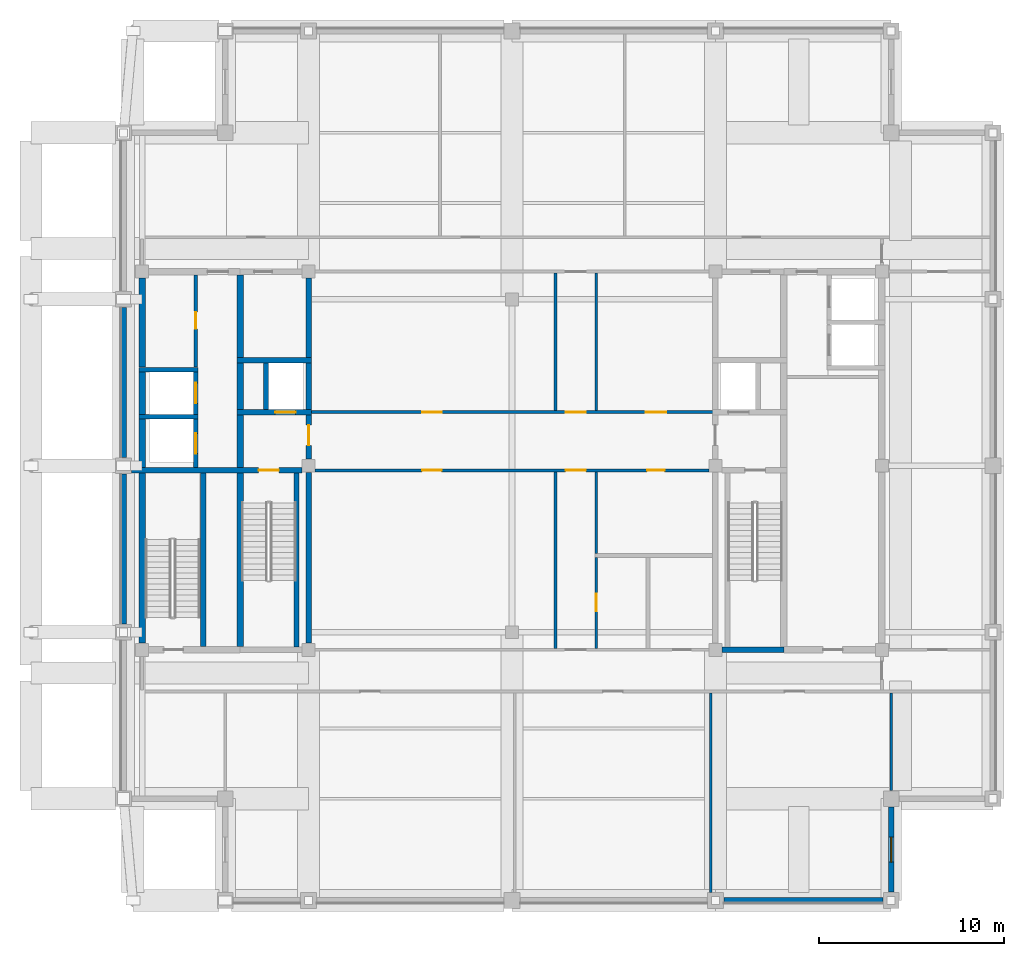
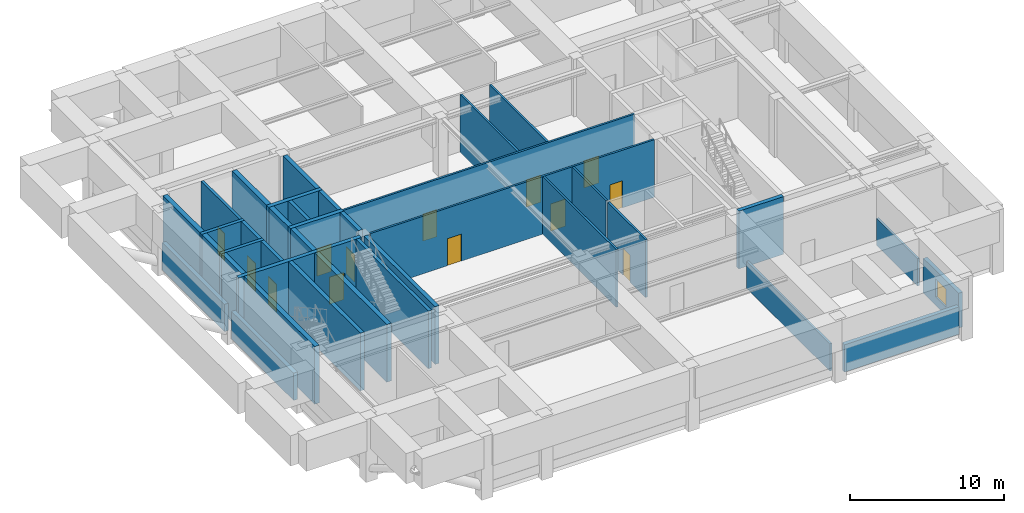
# One storey, part 3 of 11: 37 walls, 13 doors, 1 window, 14 openings.
"""IFC4 building model written with IfcOpenShell, lengths in metres."""

from ifc_helpers import new_model, si_unit, direction, frame, frame_2d, origin, place, context, subcontext, project, spatial, rectangle, extrude, material, layer, layer_set, type_object, element, fill, save


model = new_model("IFC4")

# Units and contexts
model_context = context("Model", 3, precision=1e-05, world=origin(), true_north=direction((0.0, 1.0)))
body_context = subcontext(model_context, "Body", "Model", "MODEL_VIEW")
ifc_project = project(units=[si_unit("LENGTHUNIT", "METRE"), si_unit("AREAUNIT", "SQUARE_METRE"), si_unit("VOLUMEUNIT", "CUBIC_METRE"), si_unit("PLANEANGLEUNIT", "RADIAN"), si_unit("MASSUNIT", "GRAM", prefix="KILO")], contexts=[model_context])

# Site, building, storey
site_placement = place(None, origin())
site = spatial("IfcSite", under=ifc_project, at=site_placement, CompositionType="ELEMENT")
building_placement = place(site_placement, origin())
building = spatial("IfcBuilding", under=site, at=building_placement, Name="Zulmaris Gate Convention Tower", CompositionType="ELEMENT")
storey_placement = place(building_placement, frame((0.0, 0.0, 249.429931640625)))
storey = spatial("IfcBuildingStorey", under=building, at=storey_placement, Name="L66", CompositionType="ELEMENT", Elevation=249.429931640625)

# Walls
ifc_material_1 = material(Name="Concrete C50/60", Category="concrete")
ifc_layer_1 = layer(ifc_material_1, 0.25, Name="Concrete C50/60")
ifc_layer_set_1 = layer_set([ifc_layer_1], Name="Concrete C50/60")
wall_type_1 = type_object("IfcWallType", Name="CORE-250", PredefinedType="SOLIDWALL", material=ifc_layer_set_1)
for number, where, z_axis, x_axis, name in (
    (1, (-20.175048828125, 2.64990234375, 0.0), (0.0, 0.0, 1.0), (1.0, 0.0, 0.0), "WL-L66-007"),
    (2, (-20.175048828125, 5.199951171875, 0.0), (0.0, 0.0, 1.0), (1.0, 0.0, 0.0), "WL-L66-010"),
):
    element("IfcWall", number, at=place(storey_placement, frame(where, z_axis=z_axis, x_axis=x_axis)), inside=storey, type_object=wall_type_1, Name=name, PredefinedType="SOLIDWALL", context=body_context, shape_type="SweptSolid", body=[
        extrude(rectangle(XDim=3.199951171875, YDim=0.25, at=frame_2d((1.60009765625, 0.0))), origin(), (0.0, 0.0, 1.0), 4.574951171875),
    ])

# Wall, opening, door
wall_1_placement = place(storey_placement, frame((-17.10009765625, -0.097900390625, 0.0), z_axis=(0.0, 0.0, 1.0), x_axis=(0.0, 1.0, 0.0)))
wall_1 = element("IfcWall", 3, at=wall_1_placement, inside=storey, type_object=wall_type_1, Name="WL-L66-033", PredefinedType="SOLIDWALL", context=body_context, shape_type="SweptSolid", body=[
    extrude(rectangle(XDim=2.620849609375, YDim=0.25, at=frame_2d((1.310546875, 0.0))), origin(), (0.0, 0.0, 1.0), 4.574951171875),
])
opening_1_placement = place(wall_1_placement, frame((0.748046875, 0.0, 0.0)))
opening_1 = element("IfcOpeningElement", 4, at=opening_1_placement, cuts=wall_1, Name="Opening D-06", PredefinedType="OPENING", context=body_context, shape_type="SweptSolid", body=[
    extrude(rectangle(XDim=1.10009765625, YDim=2.199951171875, at=frame_2d((0.550048828125, 1.10009765625))), frame((0.0, 0.135009765625, 0.0), z_axis=(0.0, -1.0, 0.0), x_axis=(1.0, 0.0, 0.0)), (0.0, 0.0, 1.0), 0.27001953125),
])
ifc_material_2 = material(Name="Brushed Stainless Steel", Category="steel")
door_type_1 = type_object("IfcDoorType", Name="LD-1100", OperationType="NOTDEFINED", PredefinedType="DOOR", material=ifc_material_2)
door_1_placement = place(opening_1_placement, origin())
door_1 = element("IfcDoor", 5, at=door_1_placement, inside=storey, type_object=door_type_1, Name="L66 Lift Landing Door HP-03 10", OperationType="SLIDING_TO_LEFT", OverallHeight=2.199951171875, OverallWidth=1.10009765625, PredefinedType="DOOR", context=body_context, shape_type="SweptSolid", body=[
    extrude(rectangle(XDim=1.10009765625, YDim=2.199951171875, at=frame_2d((0.550048828125, 1.10009765625))), frame((0.0, 0.02490234375, 0.0), z_axis=(0.0, -1.0, 0.0), x_axis=(1.0, 0.0, 0.0)), (0.0, 0.0, 1.0), 0.050048828125),
])
fill(opening_1, door_1)

wall_2_placement = place(storey_placement, frame((-17.10009765625, 2.777099609375, 0.0), z_axis=(0.0, 0.0, 1.0), x_axis=(0.0, 1.0, 0.0)))
wall_2 = element("IfcWall", 6, at=wall_2_placement, inside=storey, type_object=wall_type_1, Name="WL-L66-034", PredefinedType="SOLIDWALL", context=body_context, shape_type="SweptSolid", body=[
    extrude(rectangle(XDim=2.2958984375, YDim=0.25, at=frame_2d((1.14794921875, 0.0))), origin(), (0.0, 0.0, 1.0), 4.574951171875),
])
opening_2_placement = place(wall_2_placement, frame((0.597900390625, 0.0, 0.0)))
opening_2 = element("IfcOpeningElement", 7, at=opening_2_placement, cuts=wall_2, Name="Opening D-06", PredefinedType="OPENING", context=body_context, shape_type="SweptSolid", body=[
    extrude(rectangle(XDim=1.10009765625, YDim=2.199951171875, at=frame_2d((0.550048828125, 1.10009765625))), frame((0.0, 0.135009765625, 0.0), z_axis=(0.0, -1.0, 0.0), x_axis=(1.0, 0.0, 0.0)), (0.0, 0.0, 1.0), 0.27001953125),
])
door_2_placement = place(opening_2_placement, origin())
door_2 = element("IfcDoor", 8, at=door_2_placement, inside=storey, type_object=door_type_1, Name="L66 Lift Landing Door HP-04 11", OperationType="SLIDING_TO_LEFT", OverallHeight=2.199951171875, OverallWidth=1.10009765625, PredefinedType="DOOR", context=body_context, shape_type="SweptSolid", body=[
    extrude(rectangle(XDim=1.10009765625, YDim=2.199951171875, at=frame_2d((0.550048828125, 1.10009765625))), frame((0.0, 0.02490234375, 0.0), z_axis=(0.0, -1.0, 0.0), x_axis=(1.0, 0.0, 0.0)), (0.0, 0.0, 1.0), 0.050048828125),
])
fill(opening_2, door_2)

# Walls
wall_3_placement = place(storey_placement, frame((-13.300048828125, 3.052001953125, 0.0), z_axis=(0.0, 0.0, 1.0), x_axis=(0.0, 1.0, 0.0)))
element("IfcWall", 9, at=wall_3_placement, inside=storey, type_object=wall_type_1, Name="WL-L66-040", PredefinedType="SOLIDWALL", context=body_context, shape_type="SweptSolid", body=[
    extrude(rectangle(XDim=2.49609375, YDim=0.25, at=frame_2d((1.248046875, 0.0))), origin(), (0.0, 0.0, 1.0), 4.574951171875),
])
wall_4_placement = place(storey_placement, frame((-11.64990234375, -9.798095703125, 0.0), z_axis=(0.0, 0.0, 1.0), x_axis=(0.0, 1.0, 0.0)))
element("IfcWall", 10, at=wall_4_placement, inside=storey, type_object=wall_type_1, Name="WL-L66-041", PredefinedType="SOLIDWALL", context=body_context, shape_type="SweptSolid", body=[
    extrude(rectangle(XDim=9.39599609375, YDim=0.25, at=frame_2d((4.697998046875, 0.0))), origin(), (0.0, 0.0, 1.0), 4.574951171875),
])
ifc_layer_2 = layer(ifc_material_1, 0.300048828125, Name="Concrete C50/60")
ifc_layer_set_2 = layer_set([ifc_layer_2], Name="Concrete C50/60")
wall_type_2 = type_object("IfcWallType", Name="CORE-300", PredefinedType="SHEAR", material=ifc_layer_set_2)
wall_5_placement = place(storey_placement, frame((11.35400390625, -9.949951171875, 0.0), z_axis=(0.0, 0.0, 1.0), x_axis=(1.0, 0.0, 0.0)))
element("IfcWall", 11, at=wall_5_placement, inside=storey, type_object=wall_type_2, Name="WL-L66-003", PredefinedType="SHEAR", context=body_context, shape_type="SweptSolid", body=[
    extrude(rectangle(XDim=3.345947265625, YDim=0.300048828125, at=frame_2d((1.6728515625, 0.0))), origin(), (0.0, 0.0, 1.0), 4.574951171875),
])

# Wall, opening, door
wall_6_placement = place(storey_placement, frame((-20.571044921875, -0.25, 0.0), z_axis=(0.0, 0.0, 1.0), x_axis=(1.0, 0.0, 0.0)))
wall_6 = element("IfcWall", 12, at=wall_6_placement, inside=storey, type_object=wall_type_2, Name="WL-L66-005", PredefinedType="SHEAR", context=body_context, shape_type="SweptSolid", body=[
    extrude(rectangle(XDim=9.217041015625, YDim=0.300048828125, at=frame_2d((4.6083984375, 0.0))), origin(), (0.0, 0.0, 1.0), 4.574951171875),
])
opening_3_placement = place(wall_6_placement, frame((6.87109375, 0.0, 0.0)))
opening_3 = element("IfcOpeningElement", 13, at=opening_3_placement, cuts=wall_6, Name="Opening D-08", PredefinedType="OPENING", context=body_context, shape_type="SweptSolid", body=[
    extrude(rectangle(XDim=1.10009765625, YDim=2.14990234375, at=frame_2d((0.550048828125, 1.074951171875))), frame((0.0, 0.16015625, 0.0), z_axis=(0.0, -1.0, 0.0), x_axis=(1.0, 0.0, 0.0)), (0.0, 0.0, 1.0), 0.320068359375),
])
ifc_material_3 = material(Name="Fire-Rated Steel", Category="steel")
door_type_2 = type_object("IfcDoorType", Name="DR-1100-FD", OperationType="NOTDEFINED", PredefinedType="DOOR", material=ifc_material_3)
door_3_placement = place(opening_3_placement, origin())
door_3 = element("IfcDoor", 14, at=door_3_placement, inside=storey, type_object=door_type_2, Name="L66 Exit Stair ST-1 Door 01", OperationType="SINGLE_SWING_LEFT", OverallHeight=2.14990234375, OverallWidth=1.10009765625, PredefinedType="DOOR", context=body_context, shape_type="SweptSolid", body=[
    extrude(rectangle(XDim=1.10009765625, YDim=2.14990234375, at=frame_2d((0.550048828125, 1.074951171875))), frame((0.0, 0.02490234375, 0.0), z_axis=(0.0, -1.0, 0.0), x_axis=(1.0, 0.0, 0.0)), (0.0, 0.0, 1.0), 0.050048828125),
])
fill(opening_3, door_3)

wall_7_placement = place(storey_placement, frame((-14.875, 2.89990234375, 0.0), z_axis=(0.0, 0.0, 1.0), x_axis=(1.0, 0.0, 0.0)))
wall_7 = element("IfcWall", 15, at=wall_7_placement, inside=storey, type_object=wall_type_2, Name="WL-L66-008", PredefinedType="SHEAR", context=body_context, shape_type="SweptSolid", body=[
    extrude(rectangle(XDim=4.02490234375, YDim=0.300048828125, at=frame_2d((2.012451171875, 0.0))), origin(), (0.0, 0.0, 1.0), 4.574951171875),
])
opening_4_placement = place(wall_7_placement, frame((2.074951171875, 0.0, 0.0)))
opening_4 = element("IfcOpeningElement", 16, at=opening_4_placement, cuts=wall_7, Name="Opening D-06", PredefinedType="OPENING", context=body_context, shape_type="SweptSolid", body=[
    extrude(rectangle(XDim=1.10009765625, YDim=2.199951171875, at=frame_2d((0.550048828125, 1.10009765625))), frame((0.0, 0.16015625, 0.0), z_axis=(0.0, -1.0, 0.0), x_axis=(1.0, 0.0, 0.0)), (0.0, 0.0, 1.0), 0.320068359375),
])
door_4_placement = place(opening_4_placement, origin())
door_4 = element("IfcDoor", 17, at=door_4_placement, inside=storey, type_object=door_type_1, Name="L66 Lift Landing Door LF-01 03", OperationType="SLIDING_TO_LEFT", OverallHeight=2.199951171875, OverallWidth=1.10009765625, PredefinedType="DOOR", context=body_context, shape_type="SweptSolid", body=[
    extrude(rectangle(XDim=1.10009765625, YDim=2.199951171875, at=frame_2d((0.550048828125, 1.10009765625))), frame((0.0, 0.02490234375, 0.0), z_axis=(0.0, -1.0, 0.0), x_axis=(1.0, 0.0, 0.0)), (0.0, 0.0, 1.0), 0.050048828125),
])
fill(opening_4, door_4)

# Walls
wall_8_placement = place(storey_placement, frame((-14.875, 5.699951171875, 0.0), z_axis=(0.0, 0.0, 1.0), x_axis=(1.0, 0.0, 0.0)))
element("IfcWall", 18, at=wall_8_placement, inside=storey, type_object=wall_type_2, Name="WL-L66-012", PredefinedType="SHEAR", context=body_context, shape_type="SweptSolid", body=[
    extrude(rectangle(XDim=4.02490234375, YDim=0.300048828125, at=frame_2d((2.012451171875, 0.0))), origin(), (0.0, 0.0, 1.0), 4.574951171875),
])
wall_9_placement = place(storey_placement, frame((-16.699951171875, -9.77294921875, 0.0), z_axis=(0.0, 0.0, 1.0), x_axis=(0.0, 1.0, 0.0)))
element("IfcWall", 19, at=wall_9_placement, inside=storey, type_object=wall_type_2, Name="WL-L66-035", PredefinedType="SHEAR", context=body_context, shape_type="SweptSolid", body=[
    extrude(rectangle(XDim=9.370849609375, YDim=0.300048828125, at=frame_2d((4.685546875, 0.0))), origin(), (0.0, 0.0, 1.0), 4.574951171875),
])
wall_10_placement = place(storey_placement, frame((-11.0, -9.595947265625, 0.0), z_axis=(0.0, 0.0, 1.0), x_axis=(0.0, 1.0, 0.0)))
element("IfcWall", 20, at=wall_10_placement, inside=storey, type_object=wall_type_2, Name="WL-L66-042", PredefinedType="SHEAR", context=body_context, shape_type="SweptSolid", body=[
    extrude(rectangle(XDim=9.241943359375, YDim=0.300048828125, at=frame_2d((4.62109375, 0.0))), origin(), (0.0, 0.0, 1.0), 4.574951171875),
])

# Wall, opening, door
wall_11_placement = place(storey_placement, frame((-11.0, 0.35400390625, 0.0), z_axis=(0.0, 0.0, 1.0), x_axis=(0.0, 1.0, 0.0)))
wall_11 = element("IfcWall", 21, at=wall_11_placement, inside=storey, type_object=wall_type_2, Name="WL-L66-043", PredefinedType="SHEAR", context=body_context, shape_type="SweptSolid", body=[
    extrude(rectangle(XDim=2.39404296875, YDim=0.300048828125, at=frame_2d((1.197021484375, 0.0))), origin(), (0.0, 0.0, 1.0), 4.574951171875),
])
opening_5_placement = place(wall_11_placement, frame((0.74609375, 0.0, 0.0)))
opening_5 = element("IfcOpeningElement", 22, at=opening_5_placement, cuts=wall_11, Name="Opening D-08", PredefinedType="OPENING", context=body_context, shape_type="SweptSolid", body=[
    extrude(rectangle(XDim=1.10009765625, YDim=2.14990234375, at=frame_2d((0.550048828125, 1.074951171875))), frame((0.0, 0.16015625, 0.0), z_axis=(0.0, -1.0, 0.0), x_axis=(1.0, 0.0, 0.0)), (0.0, 0.0, 1.0), 0.320068359375),
])
door_5_placement = place(opening_5_placement, origin())
door_5 = element("IfcDoor", 23, at=door_5_placement, inside=storey, type_object=door_type_2, Name="L66 West Firefighting Lobby Door 02", OperationType="SINGLE_SWING_RIGHT", OverallHeight=2.14990234375, OverallWidth=1.10009765625, PredefinedType="DOOR", context=body_context, shape_type="SweptSolid", body=[
    extrude(rectangle(XDim=1.10009765625, YDim=2.14990234375, at=frame_2d((0.550048828125, 1.074951171875))), frame((0.0, 0.02490234375, 0.0), z_axis=(0.0, -1.0, 0.0), x_axis=(1.0, 0.0, 0.0)), (0.0, 0.0, 1.0), 0.050048828125),
])
fill(opening_5, door_5)

# Walls
wall_12_placement = place(storey_placement, frame((-11.0, 3.052001953125, 0.0), z_axis=(0.0, 0.0, 1.0), x_axis=(0.0, 1.0, 0.0)))
element("IfcWall", 24, at=wall_12_placement, inside=storey, type_object=wall_type_2, Name="WL-L66-044", PredefinedType="SHEAR", context=body_context, shape_type="SweptSolid", body=[
    extrude(rectangle(XDim=2.49609375, YDim=0.300048828125, at=frame_2d((1.248046875, 0.0))), origin(), (0.0, 0.0, 1.0), 4.574951171875),
])
wall_13_placement = place(storey_placement, frame((-11.0, 5.85205078125, 0.0), z_axis=(0.0, 0.0, 1.0), x_axis=(0.0, 1.0, 0.0)))
element("IfcWall", 25, at=wall_13_placement, inside=storey, type_object=wall_type_2, Name="WL-L66-045", PredefinedType="SHEAR", context=body_context, shape_type="SweptSolid", body=[
    extrude(rectangle(XDim=4.2939453125, YDim=0.300048828125, at=frame_2d((2.14697265625, 0.0))), origin(), (0.0, 0.0, 1.0), 4.574951171875),
])
ifc_material_4 = material(Name="Concrete C55/67", Category="concrete")
ifc_layer_3 = layer(ifc_material_4, 0.35009765625, Name="Concrete C55/67")
ifc_layer_set_3 = layer_set([ifc_layer_3], Name="Concrete C55/67")
wall_type_3 = type_object("IfcWallType", Name="CORE-350", PredefinedType="SHEAR", material=ifc_layer_set_3)
wall_14_placement = place(storey_placement, frame((-20.0, -9.595947265625, 0.0), z_axis=(0.0, 0.0, 1.0), x_axis=(0.0, 1.0, 0.0)))
element("IfcWall", 26, at=wall_14_placement, inside=storey, type_object=wall_type_3, Name="WL-L66-029", PredefinedType="SHEAR", context=body_context, shape_type="SweptSolid", body=[
    extrude(rectangle(XDim=9.19384765625, YDim=0.35009765625, at=frame_2d((4.596923828125, 0.0))), origin(), (0.0, 0.0, 1.0), 4.574951171875),
])
wall_15_placement = place(storey_placement, frame((-20.0, -0.097900390625, 0.0), z_axis=(0.0, 0.0, 1.0), x_axis=(0.0, 1.0, 0.0)))
element("IfcWall", 27, at=wall_15_placement, inside=storey, type_object=wall_type_3, Name="WL-L66-030", PredefinedType="SHEAR", context=body_context, shape_type="SweptSolid", body=[
    extrude(rectangle(XDim=2.620849609375, YDim=0.35009765625, at=frame_2d((1.310546875, 0.0))), origin(), (0.0, 0.0, 1.0), 4.574951171875),
])
wall_16_placement = place(storey_placement, frame((-20.0, 2.777099609375, 0.0), z_axis=(0.0, 0.0, 1.0), x_axis=(0.0, 1.0, 0.0)))
element("IfcWall", 28, at=wall_16_placement, inside=storey, type_object=wall_type_3, Name="WL-L66-031", PredefinedType="SHEAR", context=body_context, shape_type="SweptSolid", body=[
    extrude(rectangle(XDim=2.2958984375, YDim=0.35009765625, at=frame_2d((1.14794921875, 0.0))), origin(), (0.0, 0.0, 1.0), 4.574951171875),
])
wall_17_placement = place(storey_placement, frame((-20.0, 5.326904296875, 0.0), z_axis=(0.0, 0.0, 1.0), x_axis=(0.0, 1.0, 0.0)))
element("IfcWall", 29, at=wall_17_placement, inside=storey, type_object=wall_type_3, Name="WL-L66-032", PredefinedType="SHEAR", context=body_context, shape_type="SweptSolid", body=[
    extrude(rectangle(XDim=4.819091796875, YDim=0.35009765625, at=frame_2d((2.40966796875, 0.0))), origin(), (0.0, 0.0, 1.0), 4.574951171875),
])
wall_18_placement = place(storey_placement, frame((-14.699951171875, -9.77294921875, 0.0), z_axis=(0.0, 0.0, 1.0), x_axis=(0.0, 1.0, 0.0)))
element("IfcWall", 30, at=wall_18_placement, inside=storey, type_object=wall_type_3, Name="WL-L66-036", PredefinedType="SHEAR", context=body_context, shape_type="SweptSolid", body=[
    extrude(rectangle(XDim=9.370849609375, YDim=0.35009765625, at=frame_2d((4.685546875, 0.0))), origin(), (0.0, 0.0, 1.0), 4.574951171875),
])
wall_19_placement = place(storey_placement, frame((-14.699951171875, -0.097900390625, 0.0), z_axis=(0.0, 0.0, 1.0), x_axis=(0.0, 1.0, 0.0)))
element("IfcWall", 31, at=wall_19_placement, inside=storey, type_object=wall_type_3, Name="WL-L66-037", PredefinedType="SHEAR", context=body_context, shape_type="SweptSolid", body=[
    extrude(rectangle(XDim=2.845947265625, YDim=0.35009765625, at=frame_2d((1.4228515625, 0.0))), origin(), (0.0, 0.0, 1.0), 4.574951171875),
])
wall_20_placement = place(storey_placement, frame((-14.699951171875, 3.052001953125, 0.0), z_axis=(0.0, 0.0, 1.0), x_axis=(0.0, 1.0, 0.0)))
element("IfcWall", 32, at=wall_20_placement, inside=storey, type_object=wall_type_3, Name="WL-L66-038", PredefinedType="SHEAR", context=body_context, shape_type="SweptSolid", body=[
    extrude(rectangle(XDim=2.49609375, YDim=0.35009765625, at=frame_2d((1.248046875, 0.0))), origin(), (0.0, 0.0, 1.0), 4.574951171875),
])
wall_21_placement = place(storey_placement, frame((-14.699951171875, 5.85205078125, 0.0), z_axis=(0.0, 0.0, 1.0), x_axis=(0.0, 1.0, 0.0)))
element("IfcWall", 33, at=wall_21_placement, inside=storey, type_object=wall_type_3, Name="WL-L66-039", PredefinedType="SHEAR", context=body_context, shape_type="SweptSolid", body=[
    extrude(rectangle(XDim=4.470947265625, YDim=0.35009765625, at=frame_2d((2.2353515625, 0.0))), origin(), (0.0, 0.0, 1.0), 4.574951171875),
])

# Wall, openings, doors
ifc_material_5 = material(Name="Gypsum Metal Stud Partition")
ifc_layer_4 = layer(ifc_material_5, 0.14990234375, Name="Gypsum Metal Stud Partition")
ifc_layer_set_4 = layer_set([ifc_layer_4], Name="Gypsum Metal Stud Partition")
wall_type_4 = type_object("IfcWallType", Name="PART-150", PredefinedType="PARTITIONING", material=ifc_layer_set_4)
wall_22_placement = place(storey_placement, frame((-10.64404296875, -0.25, 0.0), z_axis=(0.0, 0.0, 1.0), x_axis=(1.0, 0.0, 0.0)))
wall_22 = element("IfcWall", 34, at=wall_22_placement, inside=storey, type_object=wall_type_4, Name="WL-L66-023", PredefinedType="PARTITIONING", context=body_context, shape_type="SweptSolid", body=[
    extrude(rectangle(XDim=21.2880859375, YDim=0.14990234375, at=frame_2d((10.64404296875, 0.0))), origin(), (0.0, 0.0, 1.0), 4.574951171875),
])
opening_6_placement = place(wall_22_placement, frame((13.5439453125, 0.0, 0.0)))
opening_6 = element("IfcOpeningElement", 35, at=opening_6_placement, cuts=wall_22, Name="Opening D-08", PredefinedType="OPENING", context=body_context, shape_type="SweptSolid", body=[
    extrude(rectangle(XDim=1.10009765625, YDim=2.14990234375, at=frame_2d((0.550048828125, 1.074951171875))), frame((0.0, 0.0849609375, 0.0), z_axis=(0.0, -1.0, 0.0), x_axis=(1.0, 0.0, 0.0)), (0.0, 0.0, 1.0), 0.169921875),
])
opening_7_placement = place(wall_22_placement, frame((5.7890625, 0.0, 0.0)))
opening_7 = element("IfcOpeningElement", 36, at=opening_7_placement, cuts=wall_22, Name="Opening D-09", PredefinedType="OPENING", context=body_context, shape_type="SweptSolid", body=[
    extrude(rectangle(XDim=1.050048828125, YDim=2.14990234375, at=frame_2d((0.52490234375, 1.074951171875))), frame((0.0, 0.0849609375, 0.0), z_axis=(0.0, -1.0, 0.0), x_axis=(1.0, 0.0, 0.0)), (0.0, 0.0, 1.0), 0.169921875),
])
opening_8_placement = place(wall_22_placement, frame((17.948974609375, 0.0, 0.0)))
opening_8 = element("IfcOpeningElement", 37, at=opening_8_placement, cuts=wall_22, Name="Opening D-11", PredefinedType="OPENING", context=body_context, shape_type="SweptSolid", body=[
    extrude(rectangle(XDim=0.949951171875, YDim=2.14990234375, at=frame_2d((0.47509765625, 1.074951171875))), frame((0.0, 0.0849609375, 0.0), z_axis=(0.0, -1.0, 0.0), x_axis=(1.0, 0.0, 0.0)), (0.0, 0.0, 1.0), 0.169921875),
])
door_type_3 = type_object("IfcDoorType", Name="DR-1050-FD", OperationType="NOTDEFINED", PredefinedType="DOOR", material=ifc_material_3)
door_6_placement = place(opening_7_placement, origin())
door_6 = element("IfcDoor", 38, at=door_6_placement, inside=storey, type_object=door_type_3, Name="L66 Sky Library Door 30", OperationType="SINGLE_SWING_RIGHT", OverallHeight=2.14990234375, OverallWidth=1.050048828125, PredefinedType="DOOR", context=body_context, shape_type="SweptSolid", body=[
    extrude(rectangle(XDim=1.050048828125, YDim=2.14990234375, at=frame_2d((0.52490234375, 1.074951171875))), frame((0.0, 0.02490234375, 0.0), z_axis=(0.0, -1.0, 0.0), x_axis=(1.0, 0.0, 0.0)), (0.0, 0.0, 1.0), 0.050048828125),
])
fill(opening_7, door_6)
door_7_placement = place(opening_6_placement, origin())
door_7 = element("IfcDoor", 39, at=door_7_placement, inside=storey, type_object=door_type_2, Name="L66 Exec Cross South Door 21", OperationType="SINGLE_SWING_LEFT", OverallHeight=2.14990234375, OverallWidth=1.10009765625, PredefinedType="DOOR", context=body_context, shape_type="SweptSolid", body=[
    extrude(rectangle(XDim=1.10009765625, YDim=2.14990234375, at=frame_2d((0.550048828125, 1.074951171875))), frame((0.0, 0.02490234375, 0.0), z_axis=(0.0, -1.0, 0.0), x_axis=(1.0, 0.0, 0.0)), (0.0, 0.0, 1.0), 0.050048828125),
])
fill(opening_6, door_7)
ifc_material_6 = material(Name="Fire-Rated Timber", Category="wood")
door_type_4 = type_object("IfcDoorType", Name="DR-950-FD", OperationType="NOTDEFINED", PredefinedType="DOOR", material=ifc_material_6)
door_8_placement = place(opening_8_placement, origin())
door_8 = element("IfcDoor", 40, at=door_8_placement, inside=storey, type_object=door_type_4, Name="L66 Public WC Door 31", OperationType="SINGLE_SWING_LEFT", OverallHeight=2.14990234375, OverallWidth=0.949951171875, PredefinedType="DOOR", context=body_context, shape_type="SweptSolid", body=[
    extrude(rectangle(XDim=0.949951171875, YDim=2.14990234375, at=frame_2d((0.47509765625, 1.074951171875))), frame((0.0, 0.02490234375, 0.0), z_axis=(0.0, -1.0, 0.0), x_axis=(1.0, 0.0, 0.0)), (0.0, 0.0, 1.0), 0.050048828125),
])
fill(opening_8, door_8)

wall_23_placement = place(storey_placement, frame((-11.0, 2.89990234375, 0.0), z_axis=(0.0, 0.0, 1.0), x_axis=(1.0, 0.0, 0.0)))
wall_23 = element("IfcWall", 41, at=wall_23_placement, inside=storey, type_object=wall_type_4, Name="WL-L66-024", PredefinedType="PARTITIONING", context=body_context, shape_type="SweptSolid", body=[
    extrude(rectangle(XDim=22.0, YDim=0.14990234375, at=frame_2d((11.0, 0.0))), origin(), (0.0, 0.0, 1.0), 4.574951171875),
])
opening_9_placement = place(wall_23_placement, frame((13.89990234375, 0.0, 0.0)))
opening_9 = element("IfcOpeningElement", 42, at=opening_9_placement, cuts=wall_23, Name="Opening D-08", PredefinedType="OPENING", context=body_context, shape_type="SweptSolid", body=[
    extrude(rectangle(XDim=1.10009765625, YDim=2.14990234375, at=frame_2d((0.550048828125, 1.074951171875))), frame((0.0, 0.0849609375, 0.0), z_axis=(0.0, -1.0, 0.0), x_axis=(1.0, 0.0, 0.0)), (0.0, 0.0, 1.0), 0.169921875),
])
opening_10_placement = place(wall_23_placement, frame((6.14501953125, 0.0, 0.0)))
opening_10 = element("IfcOpeningElement", 43, at=opening_10_placement, cuts=wall_23, Name="Opening D-09", PredefinedType="OPENING", context=body_context, shape_type="SweptSolid", body=[
    extrude(rectangle(XDim=1.050048828125, YDim=2.14990234375, at=frame_2d((0.52490234375, 1.074951171875))), frame((0.0, 0.0849609375, 0.0), z_axis=(0.0, -1.0, 0.0), x_axis=(1.0, 0.0, 0.0)), (0.0, 0.0, 1.0), 0.169921875),
])
opening_11_placement = place(wall_23_placement, frame((18.22998046875, 0.0, 0.0)))
opening_11 = element("IfcOpeningElement", 44, at=opening_11_placement, cuts=wall_23, Name="Opening D-08", PredefinedType="OPENING", context=body_context, shape_type="SweptSolid", body=[
    extrude(rectangle(XDim=1.10009765625, YDim=2.14990234375, at=frame_2d((0.550048828125, 1.074951171875))), frame((0.0, 0.0849609375, 0.0), z_axis=(0.0, -1.0, 0.0), x_axis=(1.0, 0.0, 0.0)), (0.0, 0.0, 1.0), 0.169921875),
])
door_9_placement = place(opening_10_placement, origin())
door_9 = element("IfcDoor", 45, at=door_9_placement, inside=storey, type_object=door_type_3, Name="L66 Reception Door 28", OperationType="SINGLE_SWING_RIGHT", OverallHeight=2.14990234375, OverallWidth=1.050048828125, PredefinedType="DOOR", context=body_context, shape_type="SweptSolid", body=[
    extrude(rectangle(XDim=1.050048828125, YDim=2.14990234375, at=frame_2d((0.52490234375, 1.074951171875))), frame((0.0, 0.02490234375, 0.0), z_axis=(0.0, -1.0, 0.0), x_axis=(1.0, 0.0, 0.0)), (0.0, 0.0, 1.0), 0.050048828125),
])
fill(opening_10, door_9)
door_10_placement = place(opening_9_placement, origin())
door_10 = element("IfcDoor", 46, at=door_10_placement, inside=storey, type_object=door_type_2, Name="L66 Exec Cross North Door 20", OperationType="SINGLE_SWING_RIGHT", OverallHeight=2.14990234375, OverallWidth=1.10009765625, PredefinedType="DOOR", context=body_context, shape_type="SweptSolid", body=[
    extrude(rectangle(XDim=1.10009765625, YDim=2.14990234375, at=frame_2d((0.550048828125, 1.074951171875))), frame((0.0, 0.02490234375, 0.0), z_axis=(0.0, -1.0, 0.0), x_axis=(1.0, 0.0, 0.0)), (0.0, 0.0, 1.0), 0.050048828125),
])
fill(opening_9, door_10)
door_11_placement = place(opening_11_placement, origin())
door_11 = element("IfcDoor", 47, at=door_11_placement, inside=storey, type_object=door_type_2, Name="L66 Townhall Forum Door 29", OperationType="SINGLE_SWING_LEFT", OverallHeight=2.14990234375, OverallWidth=1.10009765625, PredefinedType="DOOR", context=body_context, shape_type="SweptSolid", body=[
    extrude(rectangle(XDim=1.10009765625, YDim=2.14990234375, at=frame_2d((0.550048828125, 1.074951171875))), frame((0.0, 0.02490234375, 0.0), z_axis=(0.0, -1.0, 0.0), x_axis=(1.0, 0.0, 0.0)), (0.0, 0.0, 1.0), 0.050048828125),
])
fill(opening_11, door_11)

# Walls
wall_24_placement = place(storey_placement, frame((2.35009765625, -9.8720703125, 0.0), z_axis=(0.0, 0.0, 1.0), x_axis=(0.0, 1.0, 0.0)))
element("IfcWall", 48, at=wall_24_placement, inside=storey, type_object=wall_type_4, Name="WL-L66-067", PredefinedType="PARTITIONING", context=body_context, shape_type="SweptSolid", body=[
    extrude(rectangle(XDim=9.544189453125, YDim=0.14990234375, at=frame_2d((4.77197265625, 0.0))), origin(), (0.0, 0.0, 1.0), 4.574951171875),
])
wall_25_placement = place(storey_placement, frame((2.35009765625, 2.97802734375, 0.0), z_axis=(0.0, 0.0, 1.0), x_axis=(0.0, 1.0, 0.0)))
element("IfcWall", 49, at=wall_25_placement, inside=storey, type_object=wall_type_4, Name="WL-L66-068", PredefinedType="PARTITIONING", context=body_context, shape_type="SweptSolid", body=[
    extrude(rectangle(XDim=7.444091796875, YDim=0.14990234375, at=frame_2d((3.72216796875, 0.0))), origin(), (0.0, 0.0, 1.0), 4.574951171875),
])

# Wall, opening, door
wall_26_placement = place(storey_placement, frame((4.550048828125, -9.8720703125, 0.0), z_axis=(0.0, 0.0, 1.0), x_axis=(0.0, 1.0, 0.0)))
wall_26 = element("IfcWall", 50, at=wall_26_placement, inside=storey, type_object=wall_type_4, Name="WL-L66-069", PredefinedType="PARTITIONING", context=body_context, shape_type="SweptSolid", body=[
    extrude(rectangle(XDim=4.919189453125, YDim=0.14990234375, at=frame_2d((2.45947265625, 0.0))), origin(), (0.0, 0.0, 1.0), 4.574951171875),
])
opening_12_placement = place(wall_26_placement, frame((1.9970703125, 0.0, 0.0)))
opening_12 = element("IfcOpeningElement", 51, at=opening_12_placement, cuts=wall_26, Name="Opening D-11", PredefinedType="OPENING", context=body_context, shape_type="SweptSolid", body=[
    extrude(rectangle(XDim=0.949951171875, YDim=2.14990234375, at=frame_2d((0.47509765625, 1.074951171875))), frame((0.0, 0.0849609375, 0.0), z_axis=(0.0, -1.0, 0.0), x_axis=(1.0, 0.0, 0.0)), (0.0, 0.0, 1.0), 0.169921875),
])
door_12_placement = place(opening_12_placement, origin())
door_12 = element("IfcDoor", 52, at=door_12_placement, inside=storey, type_object=door_type_4, Name="L66 Accessible WC Door 32", OperationType="SINGLE_SWING_RIGHT", OverallHeight=2.14990234375, OverallWidth=0.949951171875, PredefinedType="DOOR", context=body_context, shape_type="SweptSolid", body=[
    extrude(rectangle(XDim=0.949951171875, YDim=2.14990234375, at=frame_2d((0.47509765625, 1.074951171875))), frame((0.0, 0.02490234375, 0.0), z_axis=(0.0, -1.0, 0.0), x_axis=(1.0, 0.0, 0.0)), (0.0, 0.0, 1.0), 0.050048828125),
])
fill(opening_12, door_12)

# Walls
wall_27_placement = place(storey_placement, frame((4.550048828125, -4.7470703125, 0.0), z_axis=(0.0, 0.0, 1.0), x_axis=(0.0, 1.0, 0.0)))
element("IfcWall", 53, at=wall_27_placement, inside=storey, type_object=wall_type_4, Name="WL-L66-070", PredefinedType="PARTITIONING", context=body_context, shape_type="SweptSolid", body=[
    extrude(rectangle(XDim=4.419189453125, YDim=0.14990234375, at=frame_2d((2.20947265625, 0.0))), origin(), (0.0, 0.0, 1.0), 4.574951171875),
])
wall_28_placement = place(storey_placement, frame((4.550048828125, 2.97802734375, 0.0), z_axis=(0.0, 0.0, 1.0), x_axis=(0.0, 1.0, 0.0)))
element("IfcWall", 54, at=wall_28_placement, inside=storey, type_object=wall_type_4, Name="WL-L66-071", PredefinedType="PARTITIONING", context=body_context, shape_type="SweptSolid", body=[
    extrude(rectangle(XDim=7.444091796875, YDim=0.14990234375, at=frame_2d((3.72216796875, 0.0))), origin(), (0.0, 0.0, 1.0), 4.574951171875),
])
wall_29_placement = place(storey_placement, frame((10.75, -23.069091796875, 0.0), z_axis=(0.0, 0.0, 1.0), x_axis=(0.0, 1.0, 0.0)))
element("IfcWall", 55, at=wall_29_placement, inside=storey, type_object=wall_type_4, Name="WL-L66-074", PredefinedType="PARTITIONING", context=body_context, shape_type="SweptSolid", body=[
    extrude(rectangle(XDim=10.791015625, YDim=0.14990234375, at=frame_2d((5.3955078125, 0.0))), origin(), (0.0, 0.0, 1.0), 2.1669921875),
])
wall_30_placement = place(storey_placement, frame((20.5, -17.569091796875, 0.0), z_axis=(0.0, 0.0, 1.0), x_axis=(0.0, 1.0, 0.0)))
element("IfcWall", 56, at=wall_30_placement, inside=storey, type_object=wall_type_4, Name="WL-L66-077", PredefinedType="PARTITIONING", context=body_context, shape_type="SweptSolid", body=[
    extrude(rectangle(XDim=5.291015625, YDim=0.14990234375, at=frame_2d((2.6455078125, 0.0))), origin(), (0.0, 0.0, 1.0), 2.1669921875),
])

# Wall, opening, door
ifc_material_7 = material(Name="Autoclaved Aerated Concrete Block and Plasterboard", Category="concrete")
ifc_layer_5 = layer(ifc_material_7, 0.199951171875, Name="Autoclaved Aerated Concrete Block and Plasterboard")
ifc_layer_set_5 = layer_set([ifc_layer_5], Name="Autoclaved Aerated Concrete Block and Plasterboard")
wall_type_5 = type_object("IfcWallType", Name="PART-200", PredefinedType="PARTITIONING", material=ifc_layer_set_5)
wall_31_placement = place(storey_placement, frame((-17.10009765625, 5.327880859375, 0.0), z_axis=(0.0, 0.0, 1.0), x_axis=(0.0, 1.0, 0.0)))
wall_31 = element("IfcWall", 57, at=wall_31_placement, inside=storey, type_object=wall_type_5, Name="WL-L66-063", PredefinedType="PARTITIONING", context=body_context, shape_type="SweptSolid", body=[
    extrude(rectangle(XDim=4.994140625, YDim=0.199951171875, at=frame_2d((2.4970703125, 0.0))), origin(), (0.0, 0.0, 1.0), 4.574951171875),
])
opening_13_placement = place(wall_31_placement, frame((2.072021484375, 0.0, 0.0)))
opening_13 = element("IfcOpeningElement", 58, at=opening_13_placement, cuts=wall_31, Name="Opening D-12", PredefinedType="OPENING", context=body_context, shape_type="SweptSolid", body=[
    extrude(rectangle(XDim=0.89990234375, YDim=2.14990234375, at=frame_2d((0.449951171875, 1.074951171875))), frame((0.0, 0.10986328125, 0.0), z_axis=(0.0, -1.0, 0.0), x_axis=(1.0, 0.0, 0.0)), (0.0, 0.0, 1.0), 0.219970703125),
])
door_type_5 = type_object("IfcDoorType", Name="DR-900-FD", OperationType="NOTDEFINED", PredefinedType="DOOR", material=ifc_material_6)
door_13_placement = place(opening_13_placement, origin())
door_13 = element("IfcDoor", 59, at=door_13_placement, inside=storey, type_object=door_type_5, Name="L66 Housekeeping Door 13", OperationType="SINGLE_SWING_LEFT", OverallHeight=2.14990234375, OverallWidth=0.89990234375, PredefinedType="DOOR", context=body_context, shape_type="SweptSolid", body=[
    extrude(rectangle(XDim=0.89990234375, YDim=2.14990234375, at=frame_2d((0.449951171875, 1.074951171875))), frame((0.0, 0.02490234375, 0.0), z_axis=(0.0, -1.0, 0.0), x_axis=(1.0, 0.0, 0.0)), (0.0, 0.0, 1.0), 0.050048828125),
])
fill(opening_13, door_13)

# Wall, opening, window
ifc_material_8 = material(Name="Precast concrete C40/50", Category="concrete")
ifc_layer_6 = layer(ifc_material_8, 0.300048828125, Name="Precast concrete C40/50")
ifc_layer_set_6 = layer_set([ifc_layer_6], Name="Precast concrete C40/50")
wall_type_6 = type_object("IfcWallType", Name="PRECAST-PIER-300", PredefinedType="STANDARD", material=ifc_layer_set_6)
wall_32_placement = place(storey_placement, frame((20.5, -23.044921875, 0.0), z_axis=(0.0, 0.0, 1.0), x_axis=(0.0, 1.0, 0.0)))
wall_32 = element("IfcWall", 60, at=wall_32_placement, inside=storey, type_object=wall_type_6, Name="EW-L66-NOTCH-SE1_0", PredefinedType="STANDARD", context=body_context, shape_type="SweptSolid", body=[
    extrude(rectangle(XDim=4.58984375, YDim=0.300048828125, at=frame_2d((2.294921875, 0.0))), origin(), (0.0, 0.0, 1.0), 2.76708984375),
])
opening_14_placement = place(wall_32_placement, frame((1.6201171875, 0.0, 0.679931640625)))
opening_14 = element("IfcOpeningElement", 61, at=opening_14_placement, cuts=wall_32, Name="Opening W-10", PredefinedType="OPENING", context=body_context, shape_type="SweptSolid", body=[
    extrude(rectangle(XDim=1.35009765625, YDim=1.419921875, at=frame_2d((0.675048828125, 0.7099609375))), frame((0.0, 0.16015625, 0.0), z_axis=(0.0, -1.0, 0.0), x_axis=(1.0, 0.0, 0.0)), (0.0, 0.0, 1.0), 0.320068359375),
])
ifc_material_9 = material(Name="Low-E Laminated Double Glazing in Aluminium Frame", Category="aluminium")
window_type = type_object("IfcWindowType", Name="WIN-1350x2000", PartitioningType="SINGLE_PANEL", PredefinedType="WINDOW", material=ifc_material_9)
window_placement = place(opening_14_placement, origin())
window = element("IfcWindow", 62, at=window_placement, inside=storey, type_object=window_type, Name="WN-EW-L66-NOTCH-SE1_0", OverallHeight=1.419921875, OverallWidth=1.35009765625, PartitioningType="SINGLE_PANEL", PredefinedType="WINDOW", context=body_context, shape_type="SweptSolid", body=[
    extrude(rectangle(XDim=1.35009765625, YDim=1.419921875, at=frame_2d((0.675048828125, 0.7099609375))), frame((0.0, 0.030029296875, 0.0), z_axis=(0.0, -1.0, 0.0), x_axis=(1.0, 0.0, 0.0)), (0.0, 0.0, 1.0), 0.06005859375),
])
fill(opening_14, window)

# Walls
wall_33_placement = place(storey_placement, frame((11.455078125, -23.5, 0.0), z_axis=(0.0, 0.0, 1.0), x_axis=(1.0, 0.0, 0.0)))
element("IfcWall", 63, at=wall_33_placement, inside=storey, type_object=wall_type_6, Name="EW-L66-S-3_0", PredefinedType="STANDARD", context=body_context, shape_type="SweptSolid", body=[
    extrude(rectangle(XDim=8.58984375, YDim=0.300048828125, at=frame_2d((4.294921875, 0.0))), origin(), (0.0, 0.0, 1.0), 2.1669921875),
])
for number, where, z_axis, x_axis, name in (
    (64, (-21.0, -0.455078125, 0.0), (0.0, 0.0, 1.0), (0.0, -1.0, 0.0), "EW-L66-W-1_0"),
    (65, (-21.0, 8.544921875, 0.0), (0.0, 0.0, 1.0), (0.0, -1.0, 0.0), "EW-L66-W-2_0"),
):
    element("IfcWall", number, at=place(storey_placement, frame(where, z_axis=z_axis, x_axis=x_axis)), inside=storey, type_object=wall_type_6, Name=name, PredefinedType="STANDARD", context=body_context, shape_type="SweptSolid", body=[
        extrude(rectangle(XDim=8.08984375, YDim=0.300048828125, at=frame_2d((4.044921875, 0.0))), origin(), (0.0, 0.0, 1.0), 2.1669921875),
    ])

save(model, "model.ifc")
